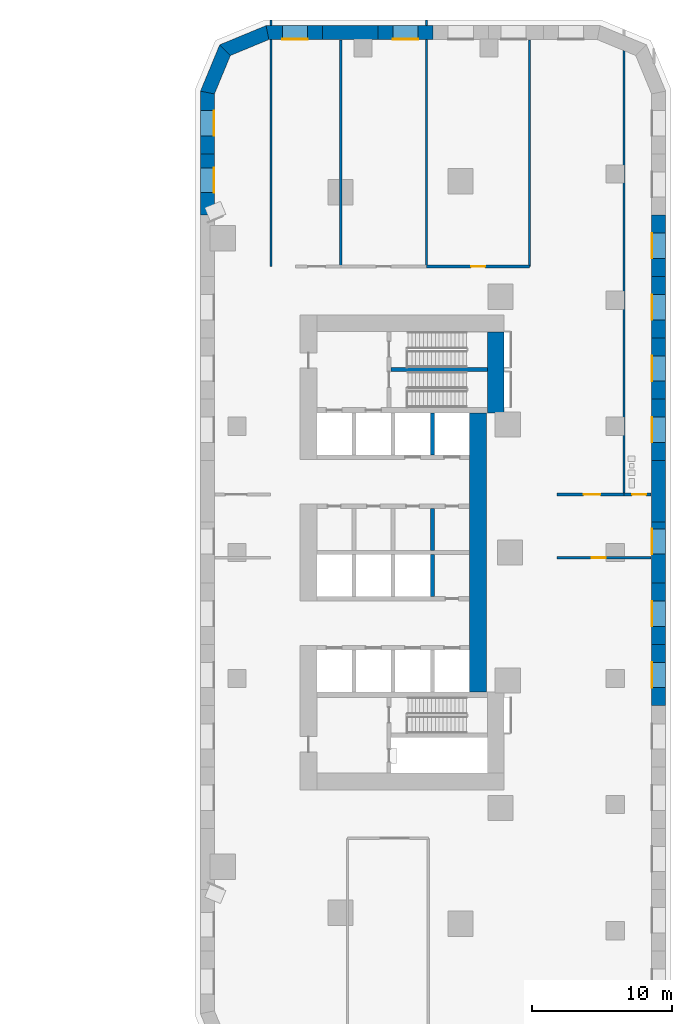
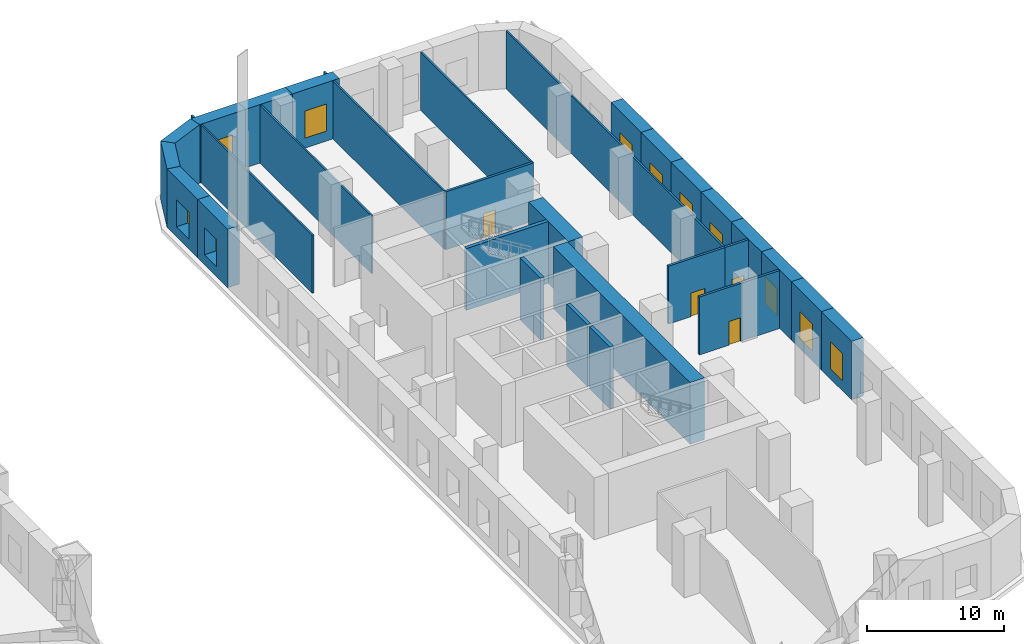
# One storey, part 5 of 12: 32 walls, 11 windows, 4 doors, 15 openings.
"""IFC4 building model written with IfcOpenShell, lengths in metres."""

from ifc_helpers import new_model, si_unit, direction, frame, frame_2d, origin, place, context, subcontext, project, spatial, polyline, rectangle, outline, extrude, material, layer, layer_set, type_object, element, fill, save


model = new_model("IFC4")

# Units and contexts
model_context = context("Model", 3, precision=1e-05, world=origin(), true_north=direction((0.0, 1.0)))
body_context = subcontext(model_context, "Body", "Model", "MODEL_VIEW")
ifc_project = project(units=[si_unit("LENGTHUNIT", "METRE"), si_unit("AREAUNIT", "SQUARE_METRE"), si_unit("VOLUMEUNIT", "CUBIC_METRE"), si_unit("PLANEANGLEUNIT", "RADIAN"), si_unit("MASSUNIT", "GRAM", prefix="KILO")], contexts=[model_context])

# Site, building, storey
site_placement = place(None, origin())
site = spatial("IfcSite", under=ifc_project, at=site_placement, CompositionType="ELEMENT")
building_placement = place(site_placement, origin())
building = spatial("IfcBuilding", under=site, at=building_placement, Name="Ostrand Prow Hotel Tower", CompositionType="ELEMENT")
storey_placement = place(building_placement, frame((0.0, 0.0, 8.0)))
storey = spatial("IfcBuildingStorey", under=building, at=storey_placement, Name="L01", CompositionType="ELEMENT", Elevation=8.0)

# Walls
ifc_material_1 = material(Name="Concrete C80/95", Category="concrete")
ifc_layer_1 = layer(ifc_material_1, 1.199951171875)
ifc_layer_set_1 = layer_set([ifc_layer_1], Name="Concrete C80/95")
wall_type_1 = type_object("IfcWallType", Name="Core wall 1200 C80/95", PredefinedType="SHEAR", material=ifc_layer_set_1)
wall_1_placement = place(storey_placement, frame((63.47998046875, 9.949951171875, 0.0), z_axis=(0.0, 0.0, 1.0), x_axis=(0.0, 1.0, 0.0)))
element("IfcWall", 1, at=wall_1_placement, inside=storey, type_object=wall_type_1, Name="Core wall CW-E-N", PredefinedType="SHEAR", context=body_context, shape_type="SweptSolid", body=[
    extrude(rectangle(XDim=5.800048828125, YDim=1.199951171875, at=frame_2d((2.89990234375, 0.0))), origin(), (0.0, 0.0, 1.0), 5.5),
])
wall_2_placement = place(storey_placement, frame((62.199951171875, -9.949951171875, 0.0), z_axis=(0.0, 0.0, 1.0), x_axis=(0.0, 1.0, 0.0)))
element("IfcWall", 2, at=wall_2_placement, inside=storey, type_object=wall_type_1, Name="Core wall CW-E-C", PredefinedType="SHEAR", context=body_context, shape_type="SweptSolid", body=[
    extrude(rectangle(XDim=19.89990234375, YDim=1.199951171875, at=frame_2d((9.949951171875, 0.0))), origin(), (0.0, 0.0, 1.0), 5.5),
])
ifc_material_2 = material(Name="Concrete C80/95", Category="concrete")
ifc_layer_2 = layer(ifc_material_2, 0.300048828125)
ifc_layer_set_2 = layer_set([ifc_layer_2], Name="Concrete C80/95")
wall_type_2 = type_object("IfcWallType", Name="Core wall 300 C80/95", PredefinedType="SHEAR", material=ifc_layer_set_2)
for number, where, z_axis, x_axis, name in (
    (3, (58.949951171875, 0.14990234375, 0.0), (0.0, 0.0, 1.0), (0.0, 1.0, 0.0), "Core wall PW-R3-NB"),
    (4, (58.949951171875, 6.949951171875, 0.0), (0.0, 0.0, 1.0), (0.0, 1.0, 0.0), "Core wall PW-R3-NA"),
    (5, (58.949951171875, -3.14990234375, 0.0), (0.0, 0.0, 1.0), (0.0, 1.0, 0.0), "Core wall PW-R3-SB"),
):
    element("IfcWall", number, at=place(storey_placement, frame(where, z_axis=z_axis, x_axis=x_axis)), inside=storey, type_object=wall_type_2, Name=name, PredefinedType="SHEAR", context=body_context, shape_type="SweptSolid", body=[
        extrude(rectangle(XDim=3.0, YDim=0.300048828125, at=frame_2d((1.5, 0.0))), origin(), (0.0, 0.0, 1.0), 5.5),
    ])
wall_3_placement = place(storey_placement, frame((56.0, 13.050048828125, 0.0), z_axis=(0.0, 0.0, 1.0), x_axis=(1.0, 0.0, 0.0)))
element("IfcWall", 6, at=wall_3_placement, inside=storey, type_object=wall_type_2, Name="Core wall PW-ST13", PredefinedType="SHEAR", context=body_context, shape_type="SweptSolid", body=[
    extrude(rectangle(XDim=6.8798828125, YDim=0.300048828125, at=frame_2d((3.43994140625, 0.0))), origin(), (0.0, 0.0, 1.0), 5.5),
])
ifc_material_3 = material(Name="Plasterboard partition")
ifc_layer_3 = layer(ifc_material_3, 0.14990234375)
ifc_layer_set_3 = layer_set([ifc_layer_3], Name="Plasterboard partition")
wall_type_3 = type_object("IfcWallType", Name="Partition 150 room partition", PredefinedType="PARTITIONING", material=ifc_layer_set_3)
wall_4_placement = place(storey_placement, frame((47.43994140625, 20.39990234375, 0.0), z_axis=(0.0, 0.0, 1.0), x_axis=(0.0, 1.0, 0.0)))
element("IfcWall", 7, at=wall_4_placement, inside=storey, type_object=wall_type_3, Name="ROOM PARTITION", PredefinedType="PARTITIONING", context=body_context, shape_type="SweptSolid", body=[
    extrude(rectangle(XDim=16.2001953125, YDim=0.14990234375, at=frame_2d((8.10009765625, 0.0))), origin(), (0.0, 0.0, 1.0), 5.14990234375),
])
wall_5_placement = place(storey_placement, frame((47.43994140625, 37.60009765625, 0.0), z_axis=(0.0, 0.0, 1.0), x_axis=(0.0, 1.0, 0.0)))
element("IfcWall", 8, at=wall_5_placement, inside=storey, type_object=wall_type_3, Name="ROOM PARTITION", PredefinedType="PARTITIONING", context=body_context, shape_type="SweptSolid", body=[
    extrude(rectangle(XDim=0.39990234375, YDim=0.14990234375, at=frame_2d((0.199951171875, 0.0))), origin(), (0.0, 0.0, 1.0), 5.14990234375),
])
wall_6_placement = place(storey_placement, frame((52.414306640625, 20.39990234375, 0.0), z_axis=(0.0, 0.0, 1.0), x_axis=(0.0, 1.0, 0.0)))
element("IfcWall", 9, at=wall_6_placement, inside=storey, type_object=wall_type_3, Name="ROOM PARTITION", PredefinedType="PARTITIONING", context=body_context, shape_type="SweptSolid", body=[
    extrude(rectangle(XDim=16.170166015625, YDim=0.14990234375, at=frame_2d((8.0849609375, 0.0))), origin(), (0.0, 0.0, 1.0), 5.14990234375),
])
wall_7_placement = place(storey_placement, frame((58.54052734375, 20.39990234375, 0.0), z_axis=(0.0, 0.0, 1.0), x_axis=(0.0, 1.0, 0.0)))
element("IfcWall", 10, at=wall_7_placement, inside=storey, type_object=wall_type_3, Name="ROOM PARTITION", PredefinedType="PARTITIONING", context=body_context, shape_type="SweptSolid", body=[
    extrude(rectangle(XDim=16.2001953125, YDim=0.14990234375, at=frame_2d((8.10009765625, 0.0))), origin(), (0.0, 0.0, 1.0), 5.14990234375),
])
wall_8_placement = place(storey_placement, frame((58.54052734375, 37.60009765625, 0.0), z_axis=(0.0, 0.0, 1.0), x_axis=(0.0, 1.0, 0.0)))
element("IfcWall", 11, at=wall_8_placement, inside=storey, type_object=wall_type_3, Name="ROOM PARTITION", PredefinedType="PARTITIONING", context=body_context, shape_type="SweptSolid", body=[
    extrude(rectangle(XDim=0.39990234375, YDim=0.14990234375, at=frame_2d((0.199951171875, 0.0))), origin(), (0.0, 0.0, 1.0), 5.14990234375),
])
wall_9_placement = place(storey_placement, frame((65.891845703125, 20.39990234375, 0.0), z_axis=(0.0, 0.0, 1.0), x_axis=(0.0, 1.0, 0.0)))
element("IfcWall", 12, at=wall_9_placement, inside=storey, type_object=wall_type_3, Name="ROOM PARTITION", PredefinedType="PARTITIONING", context=body_context, shape_type="SweptSolid", body=[
    extrude(rectangle(XDim=16.170166015625, YDim=0.14990234375, at=frame_2d((8.0849609375, 0.0))), origin(), (0.0, 0.0, 1.0), 5.14990234375),
])
wall_10_placement = place(storey_placement, frame((72.630615234375, 4.138671875, 0.0), z_axis=(0.0, 0.0, 1.0), x_axis=(0.0, 1.0, 0.0)))
element("IfcWall", 13, at=wall_10_placement, inside=storey, type_object=wall_type_3, Name="ROOM PARTITION", PredefinedType="PARTITIONING", context=body_context, shape_type="SweptSolid", body=[
    extrude(rectangle(XDim=31.67041015625, YDim=0.14990234375, at=frame_2d((15.835205078125, 0.0))), origin(), (0.0, 0.0, 1.0), 5.14990234375),
])

# Wall, opening, door
ifc_material_4 = material(Name="Plasterboard partition")
ifc_layer_4 = layer(ifc_material_4, 0.199951171875)
ifc_layer_set_4 = layer_set([ifc_layer_4], Name="Plasterboard partition")
wall_type_4 = type_object("IfcWallType", Name="Partition 200 corridor wall", PredefinedType="PARTITIONING", material=ifc_layer_set_4)
wall_11_placement = place(storey_placement, frame((67.85888671875, -0.376220703125, 0.0), z_axis=(0.0, 0.0, 1.0), x_axis=(1.0, 0.0, 0.0)))
wall_11 = element("IfcWall", 14, at=wall_11_placement, inside=storey, type_object=wall_type_4, Name="CORRIDOR WALL", PredefinedType="PARTITIONING", context=body_context, shape_type="SweptSolid", body=[
    extrude(rectangle(XDim=6.711181640625, YDim=0.199951171875, at=frame_2d((3.35546875, 0.0))), origin(), (0.0, 0.0, 1.0), 5.14990234375),
])
opening_1_placement = place(wall_11_placement, frame((2.470458984375, 0.0, 0.0)))
opening_1 = element("IfcOpeningElement", 15, at=opening_1_placement, cuts=wall_11, Name="Opening D1R", PredefinedType="OPENING", context=body_context, shape_type="SweptSolid", body=[
    extrude(rectangle(XDim=1.0, YDim=2.10009765625, at=frame_2d((0.5, 1.050048828125))), frame((0.0, 0.10986328125, 0.0), z_axis=(0.0, -1.0, 0.0), x_axis=(1.0, 0.0, 0.0)), (0.0, 0.0, 1.0), 0.219970703125),
])
ifc_material_5 = material(Name="Timber door leaf", Category="wood")
door_type_1 = type_object("IfcDoorType", Name="Guest room door 1000 right", OperationType="SINGLE_SWING_RIGHT", PredefinedType="DOOR", material=ifc_material_5)
door_1_placement = place(opening_1_placement, origin())
door_1 = element("IfcDoor", 16, at=door_1_placement, inside=storey, type_object=door_type_1, Name="DOOR", OperationType="SINGLE_SWING_RIGHT", OverallHeight=2.10009765625, OverallWidth=1.0, PredefinedType="DOOR", context=body_context, shape_type="SweptSolid", body=[
    extrude(rectangle(XDim=1.0, YDim=2.10009765625, at=frame_2d((0.5, 1.050048828125))), frame((0.0, 0.02490234375, 0.0), z_axis=(0.0, -1.0, 0.0), x_axis=(1.0, 0.0, 0.0)), (0.0, 0.0, 1.0), 0.050048828125),
])
fill(opening_1, door_1)

wall_12_placement = place(storey_placement, frame((67.85888671875, 4.138671875, 0.0), z_axis=(0.0, 0.0, 1.0), x_axis=(1.0, 0.0, 0.0)))
wall_12 = element("IfcWall", 17, at=wall_12_placement, inside=storey, type_object=wall_type_4, Name="CORRIDOR WALL", PredefinedType="PARTITIONING", context=body_context, shape_type="SweptSolid", body=[
    extrude(rectangle(XDim=4.771728515625, YDim=0.199951171875, at=frame_2d((2.3857421875, 0.0))), origin(), (0.0, 0.0, 1.0), 5.14990234375),
])
opening_2_placement = place(wall_12_placement, frame((1.8857421875, 0.0, 0.0)))
opening_2 = element("IfcOpeningElement", 18, at=opening_2_placement, cuts=wall_12, Name="Opening D12", PredefinedType="OPENING", context=body_context, shape_type="SweptSolid", body=[
    extrude(rectangle(XDim=1.199951171875, YDim=2.10009765625, at=frame_2d((0.60009765625, 1.050048828125))), frame((0.0, 0.10986328125, 0.0), z_axis=(0.0, -1.0, 0.0), x_axis=(1.0, 0.0, 0.0)), (0.0, 0.0, 1.0), 0.219970703125),
])
ifc_material_6 = material(Name="Steel service door", Category="steel")
door_type_2 = type_object("IfcDoorType", Name="Service door 1200", OperationType="SINGLE_SWING_RIGHT", PredefinedType="DOOR", material=ifc_material_6)
door_2_placement = place(opening_2_placement, origin())
door_2 = element("IfcDoor", 19, at=door_2_placement, inside=storey, type_object=door_type_2, Name="DOOR", OperationType="SINGLE_SWING_RIGHT", OverallHeight=2.10009765625, OverallWidth=1.199951171875, PredefinedType="DOOR", context=body_context, shape_type="SweptSolid", body=[
    extrude(rectangle(XDim=1.199951171875, YDim=2.10009765625, at=frame_2d((0.60009765625, 1.050048828125))), frame((0.0, 0.02490234375, 0.0), z_axis=(0.0, -1.0, 0.0), x_axis=(1.0, 0.0, 0.0)), (0.0, 0.0, 1.0), 0.050048828125),
])
fill(opening_2, door_2)

wall_13_placement = place(storey_placement, frame((72.630615234375, 4.138671875, 0.0), z_axis=(0.0, 0.0, 1.0), x_axis=(1.0, 0.0, 0.0)))
wall_13 = element("IfcWall", 20, at=wall_13_placement, inside=storey, type_object=wall_type_4, Name="CORRIDOR WALL", PredefinedType="PARTITIONING", context=body_context, shape_type="SweptSolid", body=[
    extrude(rectangle(XDim=1.939453125, YDim=0.199951171875, at=frame_2d((0.9697265625, 0.0))), origin(), (0.0, 0.0, 1.0), 5.14990234375),
])
opening_3_placement = place(wall_13_placement, frame((0.572021484375, 0.0, 0.0)))
opening_3 = element("IfcOpeningElement", 21, at=opening_3_placement, cuts=wall_13, Name="Opening D1", PredefinedType="OPENING", context=body_context, shape_type="SweptSolid", body=[
    extrude(rectangle(XDim=1.0, YDim=2.10009765625, at=frame_2d((0.5, 1.050048828125))), frame((0.0, 0.10986328125, 0.0), z_axis=(0.0, -1.0, 0.0), x_axis=(1.0, 0.0, 0.0)), (0.0, 0.0, 1.0), 0.219970703125),
])
ifc_material_7 = material(Name="Timber door leaf", Category="wood")
door_type_3 = type_object("IfcDoorType", Name="Guest room door 1000", OperationType="SINGLE_SWING_LEFT", PredefinedType="DOOR", material=ifc_material_7)
door_3_placement = place(opening_3_placement, origin())
door_3 = element("IfcDoor", 22, at=door_3_placement, inside=storey, type_object=door_type_3, Name="DOOR", OperationType="SINGLE_SWING_LEFT", OverallHeight=2.10009765625, OverallWidth=1.0, PredefinedType="DOOR", context=body_context, shape_type="SweptSolid", body=[
    extrude(rectangle(XDim=1.0, YDim=2.10009765625, at=frame_2d((0.5, 1.050048828125))), frame((0.0, 0.02490234375, 0.0), z_axis=(0.0, -1.0, 0.0), x_axis=(1.0, 0.0, 0.0)), (0.0, 0.0, 1.0), 0.050048828125),
])
fill(opening_3, door_3)

wall_14_placement = place(storey_placement, frame((65.891845703125, 20.39990234375, 0.0), z_axis=(0.0, 0.0, 1.0), x_axis=(-1.0, 0.0, 0.0)))
wall_14 = element("IfcWall", 23, at=wall_14_placement, inside=storey, type_object=wall_type_4, Name="CORRIDOR WALL", PredefinedType="PARTITIONING", context=body_context, shape_type="SweptSolid", body=[
    extrude(rectangle(XDim=7.351318359375, YDim=0.199951171875, at=frame_2d((3.67578125, 0.0))), origin(), (0.0, 0.0, 1.0), 5.14990234375),
])
opening_4_placement = place(wall_14_placement, frame((3.17578125, 0.0, 0.0)))
opening_4 = element("IfcOpeningElement", 24, at=opening_4_placement, cuts=wall_14, Name="Opening D1", PredefinedType="OPENING", context=body_context, shape_type="SweptSolid", body=[
    extrude(rectangle(XDim=1.0, YDim=2.10009765625, at=frame_2d((0.5, 1.050048828125))), frame((0.0, 0.10986328125, 0.0), z_axis=(0.0, -1.0, 0.0), x_axis=(1.0, 0.0, 0.0)), (0.0, 0.0, 1.0), 0.219970703125),
])
door_4_placement = place(opening_4_placement, origin())
door_4 = element("IfcDoor", 25, at=door_4_placement, inside=storey, type_object=door_type_3, Name="DOOR", OperationType="SINGLE_SWING_LEFT", OverallHeight=2.10009765625, OverallWidth=1.0, PredefinedType="DOOR", context=body_context, shape_type="SweptSolid", body=[
    extrude(rectangle(XDim=1.0, YDim=2.10009765625, at=frame_2d((0.5, 1.050048828125))), frame((0.0, 0.02490234375, 0.0), z_axis=(0.0, -1.0, 0.0), x_axis=(1.0, 0.0, 0.0)), (0.0, 0.0, 1.0), 0.050048828125),
])
fill(opening_4, door_4)

# Wall, opening, window
ifc_material_8 = material(Name="Precast concrete C40/50", Category="concrete")
ifc_layer_5 = layer(ifc_material_8, 1.0)
ifc_layer_set_5 = layer_set([ifc_layer_5], Name="Precast concrete C40/50")
wall_type_5 = type_object("IfcWallType", Name="Portal pier wall 1000 mm", PredefinedType="NOTDEFINED", material=ifc_layer_set_5)
wall_15_placement = place(storey_placement, frame((75.10009765625, -10.940185546875, 0.0), z_axis=(0.0, 0.0, 1.0), x_axis=(0.0, 1.0, 0.0)))
wall_15 = element("IfcWall", 26, at=wall_15_placement, inside=storey, type_object=wall_type_5, Name="Portal pier wall L01-PP113", PredefinedType="NOTDEFINED", context=body_context, shape_type="SweptSolid", body=[
    extrude(outline(polyline([(0.0, -0.5), (4.3759765625, -0.5), (4.3759765625, 0.5), (0.0, 0.5), (0.0, -0.5)])), origin(), (0.0, 0.0, 1.0), 5.199951171875),
])
opening_5_placement = place(wall_15_placement, frame((1.2880859375, 0.0, 0.89990234375)))
opening_5 = element("IfcOpeningElement", 27, at=opening_5_placement, cuts=wall_15, Name="Opening WP2", PredefinedType="OPENING", context=body_context, shape_type="SweptSolid", body=[
    extrude(rectangle(XDim=1.800048828125, YDim=2.39990234375, at=frame_2d((0.89990234375, 1.199951171875))), frame((0.0, 0.510009765625, 0.0), z_axis=(0.0, -1.0, 0.0), x_axis=(1.0, 0.0, 0.0)), (0.0, 0.0, 1.0), 1.02001953125),
])
ifc_material_9 = material(Name="Insulated glass in bronze anodised frame", Category="glass")
window_type = type_object("IfcWindowType", Name="Portal window 1800x2400", PartitioningType="SINGLE_PANEL", PredefinedType="WINDOW", material=ifc_material_9)
window_1_placement = place(opening_5_placement, origin())
window_1 = element("IfcWindow", 28, at=window_1_placement, inside=storey, type_object=window_type, Name="Portal window L01-PP113", OverallHeight=2.39990234375, OverallWidth=1.800048828125, PartitioningType="SINGLE_PANEL", PredefinedType="WINDOW", context=body_context, shape_type="SweptSolid", body=[
    extrude(rectangle(XDim=1.800048828125, YDim=2.39990234375, at=frame_2d((0.89990234375, 1.199951171875))), frame((0.0, 0.5, 0.0), z_axis=(0.0, -1.0, 0.0), x_axis=(1.0, 0.0, 0.0)), (0.0, 0.0, 1.0), 0.06005859375),
])
fill(opening_5, window_1)

wall_16_placement = place(storey_placement, frame((75.10009765625, -6.564208984375, 0.0), z_axis=(0.0, 0.0, 1.0), x_axis=(0.0, 1.0, 0.0)))
wall_16 = element("IfcWall", 29, at=wall_16_placement, inside=storey, type_object=wall_type_5, Name="Portal pier wall L01-PP114", PredefinedType="NOTDEFINED", context=body_context, shape_type="SweptSolid", body=[
    extrude(outline(polyline([(0.0, -0.5), (4.376220703125, -0.5), (4.376220703125, 0.5), (0.0, 0.5), (0.0, -0.5)])), origin(), (0.0, 0.0, 1.0), 5.199951171875),
])
opening_6_placement = place(wall_16_placement, frame((1.2880859375, 0.0, 0.89990234375)))
opening_6 = element("IfcOpeningElement", 30, at=opening_6_placement, cuts=wall_16, Name="Opening WP2", PredefinedType="OPENING", context=body_context, shape_type="SweptSolid", body=[
    extrude(rectangle(XDim=1.800048828125, YDim=2.39990234375, at=frame_2d((0.89990234375, 1.199951171875))), frame((0.0, 0.510009765625, 0.0), z_axis=(0.0, -1.0, 0.0), x_axis=(1.0, 0.0, 0.0)), (0.0, 0.0, 1.0), 1.02001953125),
])
window_2_placement = place(opening_6_placement, origin())
window_2 = element("IfcWindow", 31, at=window_2_placement, inside=storey, type_object=window_type, Name="Portal window L01-PP114", OverallHeight=2.39990234375, OverallWidth=1.800048828125, PartitioningType="SINGLE_PANEL", PredefinedType="WINDOW", context=body_context, shape_type="SweptSolid", body=[
    extrude(rectangle(XDim=1.800048828125, YDim=2.39990234375, at=frame_2d((0.89990234375, 1.199951171875))), frame((0.0, 0.5, 0.0), z_axis=(0.0, -1.0, 0.0), x_axis=(1.0, 0.0, 0.0)), (0.0, 0.0, 1.0), 0.06005859375),
])
fill(opening_6, window_2)

wall_17_placement = place(storey_placement, frame((75.10009765625, -2.18798828125, 0.0), z_axis=(0.0, 0.0, 1.0), x_axis=(0.0, 1.0, 0.0)))
wall_17 = element("IfcWall", 32, at=wall_17_placement, inside=storey, type_object=wall_type_5, Name="Portal pier wall L01-PP115", PredefinedType="NOTDEFINED", context=body_context, shape_type="SweptSolid", body=[
    extrude(outline(polyline([(0.0, -0.5), (4.3759765625, -0.5), (4.3759765625, 0.5), (0.0, 0.5), (0.0, -0.5)])), origin(), (0.0, 0.0, 1.0), 5.199951171875),
])
opening_7_placement = place(wall_17_placement, frame((2.068115234375, 0.0, 0.89990234375)))
opening_7 = element("IfcOpeningElement", 33, at=opening_7_placement, cuts=wall_17, Name="Opening WP2", PredefinedType="OPENING", context=body_context, shape_type="SweptSolid", body=[
    extrude(rectangle(XDim=1.800048828125, YDim=2.39990234375, at=frame_2d((0.89990234375, 1.199951171875))), frame((0.0, 0.510009765625, 0.0), z_axis=(0.0, -1.0, 0.0), x_axis=(1.0, 0.0, 0.0)), (0.0, 0.0, 1.0), 1.02001953125),
])
window_3_placement = place(opening_7_placement, origin())
window_3 = element("IfcWindow", 34, at=window_3_placement, inside=storey, type_object=window_type, Name="Portal window L01-PP115", OverallHeight=2.39990234375, OverallWidth=1.800048828125, PartitioningType="SINGLE_PANEL", PredefinedType="WINDOW", context=body_context, shape_type="SweptSolid", body=[
    extrude(rectangle(XDim=1.800048828125, YDim=2.39990234375, at=frame_2d((0.89990234375, 1.199951171875))), frame((0.0, 0.5, 0.0), z_axis=(0.0, -1.0, 0.0), x_axis=(1.0, 0.0, 0.0)), (0.0, 0.0, 1.0), 0.06005859375),
])
fill(opening_7, window_3)

# Wall
wall_18_placement = place(storey_placement, frame((75.10009765625, 2.18798828125, 0.0), z_axis=(0.0, 0.0, 1.0), x_axis=(0.0, 1.0, 0.0)))
element("IfcWall", 35, at=wall_18_placement, inside=storey, type_object=wall_type_5, Name="Portal pier wall L01-PP116", PredefinedType="NOTDEFINED", context=body_context, shape_type="SweptSolid", body=[
    extrude(outline(polyline([(0.0, -0.5), (4.376220703125, -0.5), (4.376220703125, 0.5), (0.0, 0.5), (0.0, -0.5)])), origin(), (0.0, 0.0, 1.0), 5.199951171875),
])

# Wall, opening, window
wall_19_placement = place(storey_placement, frame((75.10009765625, 6.564208984375, 0.0), z_axis=(0.0, 0.0, 1.0), x_axis=(0.0, 1.0, 0.0)))
wall_19 = element("IfcWall", 36, at=wall_19_placement, inside=storey, type_object=wall_type_5, Name="Portal pier wall L01-PP117", PredefinedType="NOTDEFINED", context=body_context, shape_type="SweptSolid", body=[
    extrude(outline(polyline([(0.0, -0.5), (4.3759765625, -0.5), (4.3759765625, 0.5), (0.0, 0.5), (0.0, -0.5)])), origin(), (0.0, 0.0, 1.0), 5.199951171875),
])
opening_8_placement = place(wall_19_placement, frame((1.2880859375, 0.0, 0.89990234375)))
opening_8 = element("IfcOpeningElement", 37, at=opening_8_placement, cuts=wall_19, Name="Opening WP2", PredefinedType="OPENING", context=body_context, shape_type="SweptSolid", body=[
    extrude(rectangle(XDim=1.800048828125, YDim=2.39990234375, at=frame_2d((0.89990234375, 1.199951171875))), frame((0.0, 0.510009765625, 0.0), z_axis=(0.0, -1.0, 0.0), x_axis=(1.0, 0.0, 0.0)), (0.0, 0.0, 1.0), 1.02001953125),
])
window_4_placement = place(opening_8_placement, origin())
window_4 = element("IfcWindow", 38, at=window_4_placement, inside=storey, type_object=window_type, Name="Portal window L01-PP117", OverallHeight=2.39990234375, OverallWidth=1.800048828125, PartitioningType="SINGLE_PANEL", PredefinedType="WINDOW", context=body_context, shape_type="SweptSolid", body=[
    extrude(rectangle(XDim=1.800048828125, YDim=2.39990234375, at=frame_2d((0.89990234375, 1.199951171875))), frame((0.0, 0.5, 0.0), z_axis=(0.0, -1.0, 0.0), x_axis=(1.0, 0.0, 0.0)), (0.0, 0.0, 1.0), 0.06005859375),
])
fill(opening_8, window_4)

wall_20_placement = place(storey_placement, frame((75.10009765625, 10.940185546875, 0.0), z_axis=(0.0, 0.0, 1.0), x_axis=(0.0, 1.0, 0.0)))
wall_20 = element("IfcWall", 39, at=wall_20_placement, inside=storey, type_object=wall_type_5, Name="Portal pier wall L01-PP118", PredefinedType="NOTDEFINED", context=body_context, shape_type="SweptSolid", body=[
    extrude(outline(polyline([(0.0, -0.5), (4.376220703125, -0.5), (4.376220703125, 0.5), (0.0, 0.5), (0.0, -0.5)])), origin(), (0.0, 0.0, 1.0), 5.199951171875),
])
opening_9_placement = place(wall_20_placement, frame((1.2880859375, 0.0, 0.89990234375)))
opening_9 = element("IfcOpeningElement", 40, at=opening_9_placement, cuts=wall_20, Name="Opening WP2", PredefinedType="OPENING", context=body_context, shape_type="SweptSolid", body=[
    extrude(rectangle(XDim=1.800048828125, YDim=2.39990234375, at=frame_2d((0.89990234375, 1.199951171875))), frame((0.0, 0.510009765625, 0.0), z_axis=(0.0, -1.0, 0.0), x_axis=(1.0, 0.0, 0.0)), (0.0, 0.0, 1.0), 1.02001953125),
])
window_5_placement = place(opening_9_placement, origin())
window_5 = element("IfcWindow", 41, at=window_5_placement, inside=storey, type_object=window_type, Name="Portal window L01-PP118", OverallHeight=2.39990234375, OverallWidth=1.800048828125, PartitioningType="SINGLE_PANEL", PredefinedType="WINDOW", context=body_context, shape_type="SweptSolid", body=[
    extrude(rectangle(XDim=1.800048828125, YDim=2.39990234375, at=frame_2d((0.89990234375, 1.199951171875))), frame((0.0, 0.5, 0.0), z_axis=(0.0, -1.0, 0.0), x_axis=(1.0, 0.0, 0.0)), (0.0, 0.0, 1.0), 0.06005859375),
])
fill(opening_9, window_5)

wall_21_placement = place(storey_placement, frame((75.10009765625, 15.31640625, 0.0), z_axis=(0.0, 0.0, 1.0), x_axis=(0.0, 1.0, 0.0)))
wall_21 = element("IfcWall", 42, at=wall_21_placement, inside=storey, type_object=wall_type_5, Name="Portal pier wall L01-PP119", PredefinedType="NOTDEFINED", context=body_context, shape_type="SweptSolid", body=[
    extrude(outline(polyline([(0.0, -0.5), (4.376220703125, -0.5), (4.376220703125, 0.5), (0.0, 0.5), (0.0, -0.5)])), origin(), (0.0, 0.0, 1.0), 5.199951171875),
])
opening_10_placement = place(wall_21_placement, frame((1.2880859375, 0.0, 0.89990234375)))
opening_10 = element("IfcOpeningElement", 43, at=opening_10_placement, cuts=wall_21, Name="Opening WP2", PredefinedType="OPENING", context=body_context, shape_type="SweptSolid", body=[
    extrude(rectangle(XDim=1.800048828125, YDim=2.39990234375, at=frame_2d((0.89990234375, 1.199951171875))), frame((0.0, 0.510009765625, 0.0), z_axis=(0.0, -1.0, 0.0), x_axis=(1.0, 0.0, 0.0)), (0.0, 0.0, 1.0), 1.02001953125),
])
window_6_placement = place(opening_10_placement, origin())
window_6 = element("IfcWindow", 44, at=window_6_placement, inside=storey, type_object=window_type, Name="Portal window L01-PP119", OverallHeight=2.39990234375, OverallWidth=1.800048828125, PartitioningType="SINGLE_PANEL", PredefinedType="WINDOW", context=body_context, shape_type="SweptSolid", body=[
    extrude(rectangle(XDim=1.800048828125, YDim=2.39990234375, at=frame_2d((0.89990234375, 1.199951171875))), frame((0.0, 0.5, 0.0), z_axis=(0.0, -1.0, 0.0), x_axis=(1.0, 0.0, 0.0)), (0.0, 0.0, 1.0), 0.06005859375),
])
fill(opening_10, window_6)

wall_22_placement = place(storey_placement, frame((75.10009765625, 19.692626953125, 0.0), z_axis=(0.0, 0.0, 1.0), x_axis=(0.0, 1.0, 0.0)))
wall_22 = element("IfcWall", 45, at=wall_22_placement, inside=storey, type_object=wall_type_5, Name="Portal pier wall L01-PP120", PredefinedType="NOTDEFINED", context=body_context, shape_type="SweptSolid", body=[
    extrude(outline(polyline([(0.0, -0.5), (4.3759765625, -0.5), (4.3759765625, 0.5), (0.0, 0.5), (0.0, -0.5)])), origin(), (0.0, 0.0, 1.0), 5.199951171875),
])
opening_11_placement = place(wall_22_placement, frame((1.2880859375, 0.0, 0.89990234375)))
opening_11 = element("IfcOpeningElement", 46, at=opening_11_placement, cuts=wall_22, Name="Opening WP2", PredefinedType="OPENING", context=body_context, shape_type="SweptSolid", body=[
    extrude(rectangle(XDim=1.800048828125, YDim=2.39990234375, at=frame_2d((0.89990234375, 1.199951171875))), frame((0.0, 0.510009765625, 0.0), z_axis=(0.0, -1.0, 0.0), x_axis=(1.0, 0.0, 0.0)), (0.0, 0.0, 1.0), 1.02001953125),
])
window_7_placement = place(opening_11_placement, origin())
window_7 = element("IfcWindow", 47, at=window_7_placement, inside=storey, type_object=window_type, Name="Portal window L01-PP120", OverallHeight=2.39990234375, OverallWidth=1.800048828125, PartitioningType="SINGLE_PANEL", PredefinedType="WINDOW", context=body_context, shape_type="SweptSolid", body=[
    extrude(rectangle(XDim=1.800048828125, YDim=2.39990234375, at=frame_2d((0.89990234375, 1.199951171875))), frame((0.0, 0.5, 0.0), z_axis=(0.0, -1.0, 0.0), x_axis=(1.0, 0.0, 0.0)), (0.0, 0.0, 1.0), 0.06005859375),
])
fill(opening_11, window_7)

wall_23_placement = place(storey_placement, frame((59.0, 37.10009765625, 0.0), z_axis=(0.0, 0.0, 1.0), x_axis=(-1.0, 0.0, 0.0)))
wall_23 = element("IfcWall", 48, at=wall_23_placement, inside=storey, type_object=wall_type_5, Name="Portal pier wall L01-PP128", PredefinedType="NOTDEFINED", context=body_context, shape_type="SweptSolid", body=[
    extrude(outline(polyline([(0.0, -0.5), (3.940185546875, -0.5), (3.940185546875, 0.5), (0.0, 0.5), (0.0, -0.5)])), origin(), (0.0, 0.0, 1.0), 5.199951171875),
])
opening_12_placement = place(wall_23_placement, frame((1.0703125, 0.0, 0.89990234375)))
opening_12 = element("IfcOpeningElement", 49, at=opening_12_placement, cuts=wall_23, Name="Opening WP2", PredefinedType="OPENING", context=body_context, shape_type="SweptSolid", body=[
    extrude(rectangle(XDim=1.800048828125, YDim=2.39990234375, at=frame_2d((0.89990234375, 1.199951171875))), frame((0.0, 0.510009765625, 0.0), z_axis=(0.0, -1.0, 0.0), x_axis=(1.0, 0.0, 0.0)), (0.0, 0.0, 1.0), 1.02001953125),
])
window_8_placement = place(opening_12_placement, origin())
window_8 = element("IfcWindow", 50, at=window_8_placement, inside=storey, type_object=window_type, Name="Portal window L01-PP128", OverallHeight=2.39990234375, OverallWidth=1.800048828125, PartitioningType="SINGLE_PANEL", PredefinedType="WINDOW", context=body_context, shape_type="SweptSolid", body=[
    extrude(rectangle(XDim=1.800048828125, YDim=2.39990234375, at=frame_2d((0.89990234375, 1.199951171875))), frame((0.0, 0.5, 0.0), z_axis=(0.0, -1.0, 0.0), x_axis=(1.0, 0.0, 0.0)), (0.0, 0.0, 1.0), 0.06005859375),
])
fill(opening_12, window_8)

# Wall
wall_24_placement = place(storey_placement, frame((55.059814453125, 37.10009765625, 0.0), z_axis=(0.0, 0.0, 1.0), x_axis=(-1.0, 0.0, 0.0)))
element("IfcWall", 51, at=wall_24_placement, inside=storey, type_object=wall_type_5, Name="Portal pier wall L01-PP129", PredefinedType="NOTDEFINED", context=body_context, shape_type="SweptSolid", body=[
    extrude(outline(polyline([(0.0, -0.5), (3.9404296875, -0.5), (3.9404296875, 0.5), (0.0, 0.5), (0.0, -0.5)])), origin(), (0.0, 0.0, 1.0), 5.199951171875),
])

# Wall, opening, window
wall_25_placement = place(storey_placement, frame((51.119384765625, 37.10009765625, 0.0), z_axis=(0.0, 0.0, 1.0), x_axis=(-1.0, 0.0, 0.0)))
wall_25 = element("IfcWall", 52, at=wall_25_placement, inside=storey, type_object=wall_type_5, Name="Portal pier wall L01-PP130", PredefinedType="NOTDEFINED", context=body_context, shape_type="SweptSolid", body=[
    extrude(outline(polyline([(0.0, -0.5), (4.0400390625, -0.5), (3.8408203125, 0.5), (0.0, 0.5), (0.0, -0.5)])), origin(), (0.0, 0.0, 1.0), 5.199951171875),
])
opening_13_placement = place(wall_25_placement, frame((1.0703125, 0.0, 0.89990234375)))
opening_13 = element("IfcOpeningElement", 53, at=opening_13_placement, cuts=wall_25, Name="Opening WP2", PredefinedType="OPENING", context=body_context, shape_type="SweptSolid", body=[
    extrude(rectangle(XDim=1.800048828125, YDim=2.39990234375, at=frame_2d((0.89990234375, 1.199951171875))), frame((0.0, 0.510009765625, 0.0), z_axis=(0.0, -1.0, 0.0), x_axis=(1.0, 0.0, 0.0)), (0.0, 0.0, 1.0), 1.02001953125),
])
window_9_placement = place(opening_13_placement, origin())
window_9 = element("IfcWindow", 54, at=window_9_placement, inside=storey, type_object=window_type, Name="Portal window L01-PP130", OverallHeight=2.39990234375, OverallWidth=1.800048828125, PartitioningType="SINGLE_PANEL", PredefinedType="WINDOW", context=body_context, shape_type="SweptSolid", body=[
    extrude(rectangle(XDim=1.800048828125, YDim=2.39990234375, at=frame_2d((0.89990234375, 1.199951171875))), frame((0.0, 0.5, 0.0), z_axis=(0.0, -1.0, 0.0), x_axis=(1.0, 0.0, 0.0)), (0.0, 0.0, 1.0), 0.06005859375),
])
fill(opening_13, window_9)

# Walls
wall_26_placement = place(storey_placement, frame((47.178955078125, 37.10009765625, 0.0), z_axis=(0.0, 0.0, 1.0), x_axis=(-0.923862365102, -0.382724875529, 0.0)))
element("IfcWall", 55, at=wall_26_placement, inside=storey, type_object=wall_type_5, Name="Portal pier wall L01-PP131", PredefinedType="NOTDEFINED", context=body_context, shape_type="SweptSolid", body=[
    extrude(outline(polyline([(-0.099609375, -0.5), (3.48193359375, -0.5), (3.06787109375, 0.5), (0.099609375, 0.5), (-0.099609375, -0.5)])), origin(), (0.0, 0.0, 1.0), 5.199951171875),
])
wall_27_placement = place(storey_placement, frame((44.1533203125, 35.8466796875, 0.0), z_axis=(0.0, 0.0, 1.0), x_axis=(-0.382724875529, -0.923862365102, 0.0)))
element("IfcWall", 56, at=wall_27_placement, inside=storey, type_object=wall_type_5, Name="Portal pier wall L01-PP132", PredefinedType="NOTDEFINED", context=body_context, shape_type="SweptSolid", body=[
    extrude(outline(polyline([(-0.20703125, -0.5), (3.37451171875, -0.5), (3.17529296875, 0.5), (0.20703125, 0.5), (-0.20703125, -0.5)])), origin(), (0.0, 0.0, 1.0), 5.199951171875),
])

# Wall, opening, window
wall_28_placement = place(storey_placement, frame((42.89990234375, 32.821044921875, 0.0), z_axis=(0.0, 0.0, 1.0), x_axis=(0.0, -1.0, 0.0)))
wall_28 = element("IfcWall", 57, at=wall_28_placement, inside=storey, type_object=wall_type_5, Name="Portal pier wall L01-PP133", PredefinedType="NOTDEFINED", context=body_context, shape_type="SweptSolid", body=[
    extrude(outline(polyline([(-0.099609375, -0.5), (4.376220703125, -0.5), (4.376220703125, 0.5), (0.099609375, 0.5), (-0.099609375, -0.5)])), origin(), (0.0, 0.0, 1.0), 5.199951171875),
])
opening_14_placement = place(wall_28_placement, frame((1.2880859375, 0.0, 0.89990234375)))
opening_14 = element("IfcOpeningElement", 58, at=opening_14_placement, cuts=wall_28, Name="Opening WP2", PredefinedType="OPENING", context=body_context, shape_type="SweptSolid", body=[
    extrude(rectangle(XDim=1.800048828125, YDim=2.39990234375, at=frame_2d((0.89990234375, 1.199951171875))), frame((0.0, 0.510009765625, 0.0), z_axis=(0.0, -1.0, 0.0), x_axis=(1.0, 0.0, 0.0)), (0.0, 0.0, 1.0), 1.02001953125),
])
window_10_placement = place(opening_14_placement, origin())
window_10 = element("IfcWindow", 59, at=window_10_placement, inside=storey, type_object=window_type, Name="Portal window L01-PP133", OverallHeight=2.39990234375, OverallWidth=1.800048828125, PartitioningType="SINGLE_PANEL", PredefinedType="WINDOW", context=body_context, shape_type="SweptSolid", body=[
    extrude(rectangle(XDim=1.800048828125, YDim=2.39990234375, at=frame_2d((0.89990234375, 1.199951171875))), frame((0.0, 0.5, 0.0), z_axis=(0.0, -1.0, 0.0), x_axis=(1.0, 0.0, 0.0)), (0.0, 0.0, 1.0), 0.06005859375),
])
fill(opening_14, window_10)

wall_29_placement = place(storey_placement, frame((42.89990234375, 28.44482421875, 0.0), z_axis=(0.0, 0.0, 1.0), x_axis=(0.0, -1.0, 0.0)))
wall_29 = element("IfcWall", 60, at=wall_29_placement, inside=storey, type_object=wall_type_5, Name="Portal pier wall L01-PP134", PredefinedType="NOTDEFINED", context=body_context, shape_type="SweptSolid", body=[
    extrude(outline(polyline([(0.0, -0.5), (4.376220703125, -0.5), (4.376220703125, 0.5), (0.0, 0.5), (0.0, -0.5)])), origin(), (0.0, 0.0, 1.0), 5.199951171875),
])
opening_15_placement = place(wall_29_placement, frame((1.0, 0.0, 0.89990234375)))
opening_15 = element("IfcOpeningElement", 61, at=opening_15_placement, cuts=wall_29, Name="Opening WP2", PredefinedType="OPENING", context=body_context, shape_type="SweptSolid", body=[
    extrude(rectangle(XDim=1.760498046875, YDim=2.39990234375, at=frame_2d((0.88037109375, 1.199951171875))), frame((0.0, 0.510009765625, 0.0), z_axis=(0.0, -1.0, 0.0), x_axis=(1.0, 0.0, 0.0)), (0.0, 0.0, 1.0), 1.02001953125),
])
window_11_placement = place(opening_15_placement, origin())
window_11 = element("IfcWindow", 62, at=window_11_placement, inside=storey, type_object=window_type, Name="Portal window L01-PP134", OverallHeight=2.39990234375, OverallWidth=1.760498046875, PartitioningType="SINGLE_PANEL", PredefinedType="WINDOW", context=body_context, shape_type="SweptSolid", body=[
    extrude(rectangle(XDim=1.760498046875, YDim=2.39990234375, at=frame_2d((0.88037109375, 1.199951171875))), frame((0.0, 0.5, 0.0), z_axis=(0.0, -1.0, 0.0), x_axis=(1.0, 0.0, 0.0)), (0.0, 0.0, 1.0), 0.06005859375),
])
fill(opening_15, window_11)

save(model, "model.ifc")
